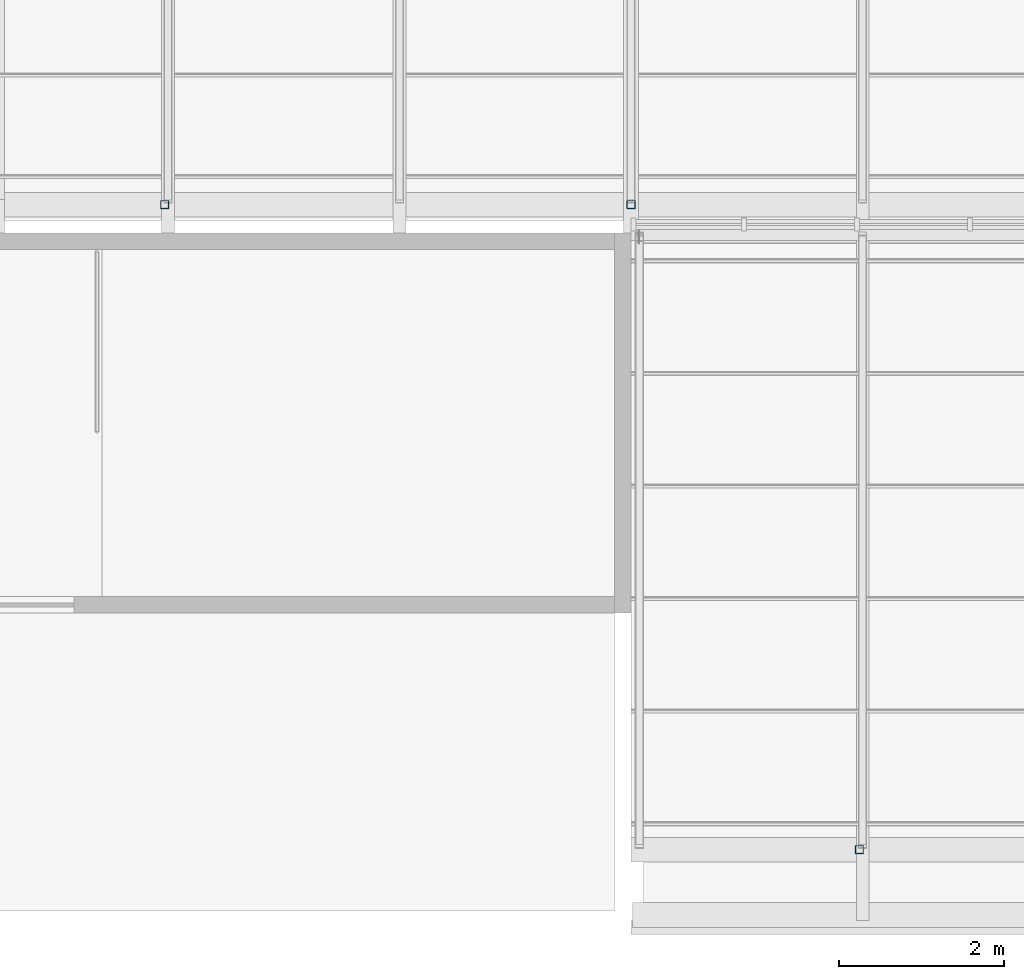
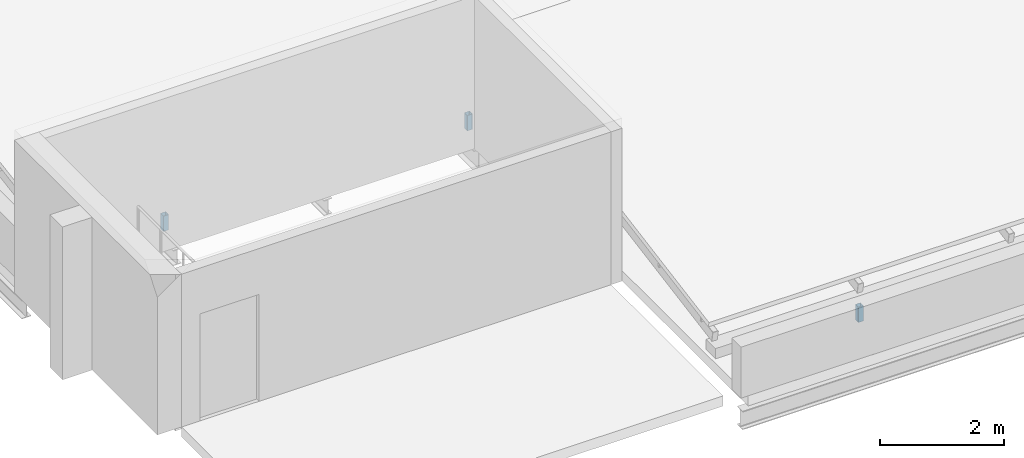
# One storey, part 21 of 42: 3 members.
"""IFC4 building model written with IfcOpenShell, lengths in metres."""

from ifc_helpers import new_model, si_unit, direction, frame, origin, origin_2d, place, context, subcontext, project, spatial, hollow_rectangle, extrude, material, material_profile, profile_set, type_object, element, save


model = new_model("IFC4")

# Units and contexts
model_context = context("Model", 3, precision=1e-05, world=origin(), true_north=direction((0.0, 1.0)))
body_context = subcontext(model_context, "Body", "Model", "MODEL_VIEW")
ifc_project = project(units=[si_unit("LENGTHUNIT", "METRE"), si_unit("AREAUNIT", "SQUARE_METRE"), si_unit("VOLUMEUNIT", "CUBIC_METRE"), si_unit("PLANEANGLEUNIT", "RADIAN"), si_unit("MASSUNIT", "GRAM", prefix="KILO")], contexts=[model_context])

# Site, building, storey
site_placement = place(None, origin())
site = spatial("IfcSite", under=ifc_project, at=site_placement, CompositionType="ELEMENT")
building_placement = place(site_placement, origin())
building = spatial("IfcBuilding", under=site, at=building_placement, Name="Ardhachandra Cancer Care Centre", CompositionType="ELEMENT")
storey_placement = place(building_placement, frame((0.0, 0.0, 22.5)))
storey = spatial("IfcBuildingStorey", under=building, at=storey_placement, Name="L05", CompositionType="ELEMENT", Elevation=22.5)

# Members
ifc_material = material(Name="Steel E350 (IS 2062)", Category="steel")
ifc_material_profile = material_profile(ifc_material, hollow_rectangle(XDim=0.10009765625, YDim=0.10009765625, WallThickness=0.0048828125, InnerFilletRadius=0.0048828125, OuterFilletRadius=0.010009765625, at=origin_2d()), Name="SHS 100x100x5.0")
ifc_profile_set = profile_set([ifc_material_profile], Name="Steel E350 (IS 2062)")
member_type = type_object("IfcMemberType", Name="Sawtooth ridge post SHS 100x100x5.0", PredefinedType="POST", material=ifc_profile_set)
for number, where, z_axis, x_axis, name in (
    (1, (21.9599609375, 72.340087890625, 0.0), (0.0, 0.0, 1.0), (1.0, 0.0, 0.0), "Gutter cradle NT1a.1"),
    (2, (13.56005859375, 80.139892578125, 0.0), (0.0, 0.0, 1.0), (1.0, 0.0, 0.0), "Gutter cradle NT2a.1"),
    (3, (19.199951171875, 80.139892578125, 0.0), (0.0, 0.0, 1.0), (1.0, 0.0, 0.0), "Gutter cradle NT2a.2"),
):
    element("IfcMember", number, at=place(storey_placement, frame(where, z_axis=z_axis, x_axis=x_axis)), inside=storey, type_object=member_type, Name=name, PredefinedType="POST", context=body_context, shape_type="SweptSolid", body=[
        extrude(hollow_rectangle(XDim=0.10009765625, YDim=0.10009765625, WallThickness=0.0048828125, InnerFilletRadius=0.0048828125, OuterFilletRadius=0.010009765625, at=origin_2d()), origin(), (0.0, 0.0, 1.0), 0.300048828125),
    ])

save(model, "model.ifc")
